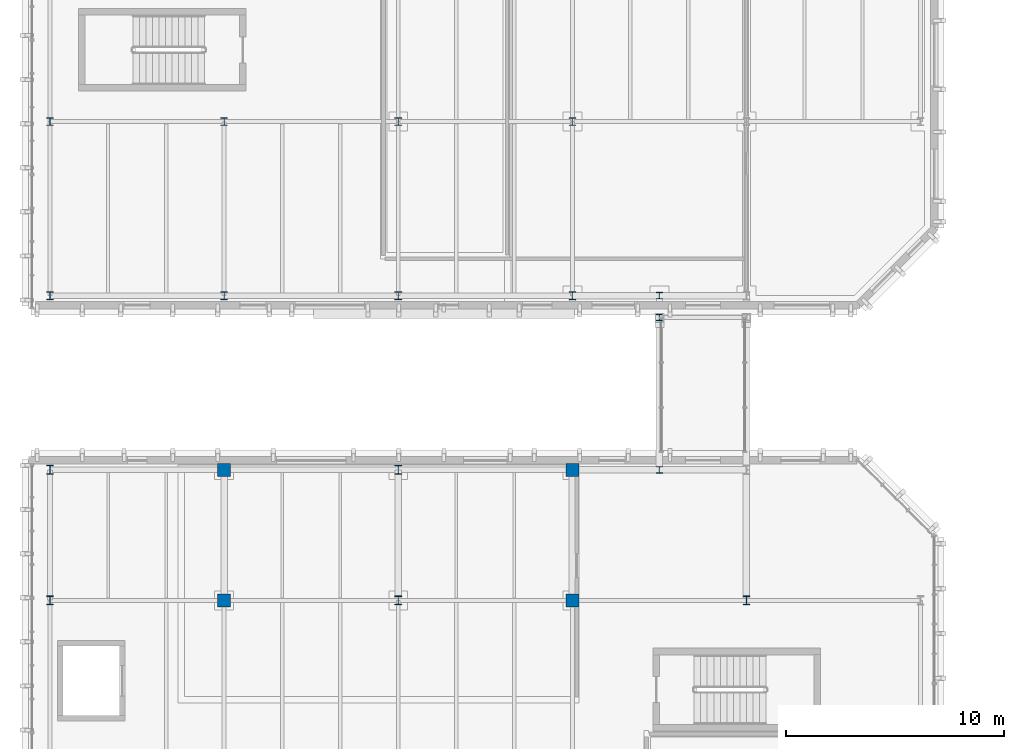
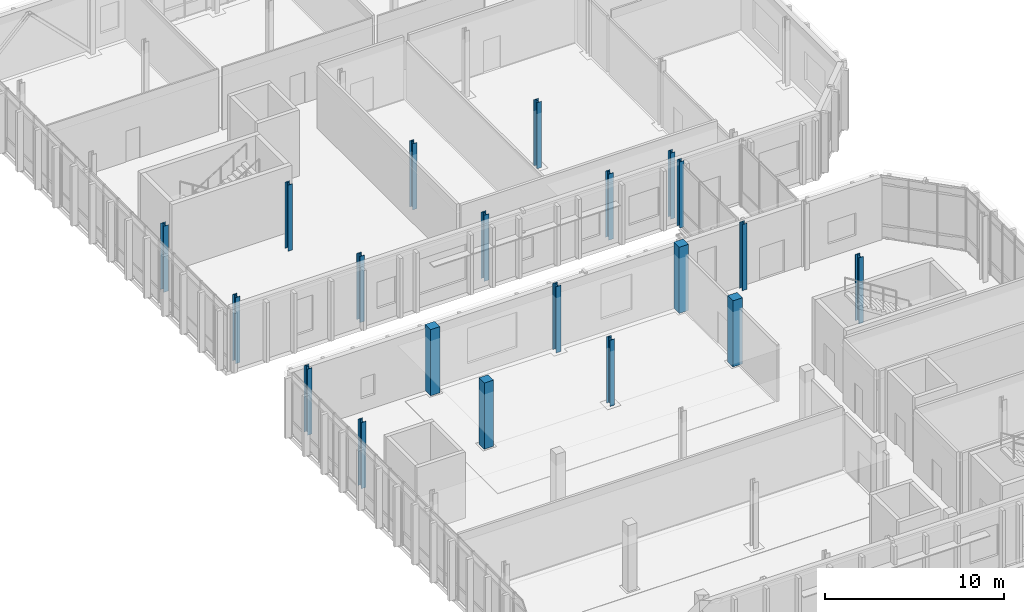
# One storey, part 10 of 100: 20 columns.
"""IFC4 building model written with IfcOpenShell, lengths in metres."""

from ifc_helpers import new_model, si_unit, direction, frame, origin, origin_2d, place, context, subcontext, project, spatial, rectangle, i_section, extrude, material, material_profile, profile_set, type_object, element, save


model = new_model("IFC4")

# Units and contexts
model_context = context("Model", 3, precision=1e-05, world=origin(), true_north=direction((0.0, 1.0)))
body_context = subcontext(model_context, "Body", "Model", "MODEL_VIEW")
ifc_project = project(units=[si_unit("LENGTHUNIT", "METRE"), si_unit("AREAUNIT", "SQUARE_METRE"), si_unit("VOLUMEUNIT", "CUBIC_METRE"), si_unit("PLANEANGLEUNIT", "RADIAN"), si_unit("MASSUNIT", "GRAM", prefix="KILO")], contexts=[model_context])

# Site, building, storey
site_placement = place(None, origin())
site = spatial("IfcSite", under=ifc_project, at=site_placement, CompositionType="ELEMENT")
building_placement = place(site_placement, origin())
building = spatial("IfcBuilding", under=site, at=building_placement, Name="Cymarion Research Institute", CompositionType="ELEMENT")
storey_placement = place(building_placement, frame((0.0, 0.0, 9.300048828125)))
storey = spatial("IfcBuildingStorey", under=building, at=storey_placement, Name="L02", CompositionType="ELEMENT", Elevation=9.300048828125)

# Columns
ifc_material_1 = material(Name="Steel S355", Category="steel")
ifc_material_profile_1 = material_profile(ifc_material_1, i_section(OverallWidth=0.300048828125, OverallDepth=0.39990234375, WebThickness=0.013427734375, FlangeThickness=0.02392578125, FilletRadius=0.027099609375, at=origin_2d()), Name="HEB 400")
ifc_profile_set_1 = profile_set([ifc_material_profile_1], Name="Steel S355")
column_type_1 = type_object("IfcColumnType", Name="STRUCTURAL COLUMN C06 HEB 400", PredefinedType="COLUMN", material=ifc_profile_set_1)
for number, where, z_axis, x_axis, name in (
    (1, (6.60009765625, 71.5, 0.0), (0.0, 0.0, 1.0), (1.0, 0.0, 0.0), "L02 V4 column C06 #666"),
    (2, (6.60009765625, 77.5, 0.0), (0.0, 0.0, 1.0), (1.0, 0.0, 0.0), "L02 V4 column C06 #667"),
    (3, (22.60009765625, 71.5, 0.0), (0.0, 0.0, 1.0), (1.0, 0.0, 0.0), "L02 V4 column C06 #697"),
    (4, (22.60009765625, 77.5, 0.0), (0.0, 0.0, 1.0), (1.0, 0.0, 0.0), "L02 V4 column C06 #698"),
    (5, (38.60009765625, 71.5, 0.0), (0.0, 0.0, 1.0), (1.0, 0.0, 0.0), "L02 V4 column C06 #734"),
):
    element("IfcColumn", number, at=place(storey_placement, frame(where, z_axis=z_axis, x_axis=x_axis)), inside=storey, type_object=column_type_1, Name=name, PredefinedType="COLUMN", context=body_context, shape_type="SweptSolid", body=[
        extrude(i_section(OverallWidth=0.300048828125, OverallDepth=0.39990234375, WebThickness=0.013427734375, FlangeThickness=0.02392578125, FilletRadius=0.027099609375, at=origin_2d()), origin(), (0.0, 0.0, 1.0), 4.5),
    ])
ifc_material_profile_2 = material_profile(ifc_material_1, i_section(OverallWidth=0.300048828125, OverallDepth=0.360107421875, WebThickness=0.012451171875, FlangeThickness=0.0224609375, FilletRadius=0.027099609375, at=origin_2d()), Name="HEB 360")
ifc_profile_set_2 = profile_set([ifc_material_profile_2], Name="Steel S355")
column_type_2 = type_object("IfcColumnType", Name="STRUCTURAL COLUMN C07 HEB 360", PredefinedType="COLUMN", material=ifc_profile_set_2)
for number, where, z_axis, x_axis, name in (
    (6, (6.60009765625, 85.5, 0.0), (0.0, 0.0, 1.0), (1.0, 0.0, 0.0), "L02 V5 column C07 #668"),
    (7, (14.60009765625, 85.5, 0.0), (0.0, 0.0, 1.0), (1.0, 0.0, 0.0), "L02 V5 column C07 #684"),
    (8, (22.60009765625, 85.5, 0.0), (0.0, 0.0, 1.0), (1.0, 0.0, 0.0), "L02 V5 column C07 #699"),
    (9, (30.60009765625, 85.5, 0.0), (0.0, 0.0, 1.0), (1.0, 0.0, 0.0), "L02 V5 column C07 #715"),
):
    element("IfcColumn", number, at=place(storey_placement, frame(where, z_axis=z_axis, x_axis=x_axis)), inside=storey, type_object=column_type_2, Name=name, PredefinedType="COLUMN", context=body_context, shape_type="SweptSolid", body=[
        extrude(i_section(OverallWidth=0.300048828125, OverallDepth=0.360107421875, WebThickness=0.012451171875, FlangeThickness=0.0224609375, FilletRadius=0.027099609375, at=origin_2d()), origin(), (0.0, 0.0, 1.0), 4.5),
    ])
ifc_material_profile_3 = material_profile(ifc_material_1, i_section(OverallWidth=0.300048828125, OverallDepth=0.300048828125, WebThickness=0.010986328125, FlangeThickness=0.01904296875, FilletRadius=0.027099609375, at=origin_2d()), Name="HEB 300")
ifc_profile_set_3 = profile_set([ifc_material_profile_3], Name="Steel S355")
column_type_3 = type_object("IfcColumnType", Name="STRUCTURAL COLUMN C08 HEB 300", PredefinedType="COLUMN", material=ifc_profile_set_3)
for number, where, z_axis, x_axis, name in (
    (10, (34.60009765625, 77.5, 0.0), (0.0, 0.0, 1.0), (1.0, 0.0, 0.0), "L02 V4 column C08 #721"),
    (11, (34.60009765625, 85.5, 0.0), (0.0, 0.0, 1.0), (1.0, 0.0, 0.0), "L02 V5 column C08 #723"),
):
    element("IfcColumn", number, at=place(storey_placement, frame(where, z_axis=z_axis, x_axis=x_axis)), inside=storey, type_object=column_type_3, Name=name, PredefinedType="COLUMN", context=body_context, shape_type="SweptSolid", body=[
        extrude(i_section(OverallWidth=0.300048828125, OverallDepth=0.300048828125, WebThickness=0.010986328125, FlangeThickness=0.01904296875, FilletRadius=0.027099609375, at=origin_2d()), origin(), (0.0, 0.0, 1.0), 4.5),
    ])
ifc_material_profile_4 = material_profile(ifc_material_1, i_section(OverallWidth=0.280029296875, OverallDepth=0.280029296875, WebThickness=0.010498046875, FlangeThickness=0.01806640625, FilletRadius=0.02392578125, at=origin_2d()), Name="HEB 280")
ifc_profile_set_4 = profile_set([ifc_material_profile_4], Name="Steel S355")
column_type_4 = type_object("IfcColumnType", Name="STRUCTURAL COLUMN C09 HEB 280", PredefinedType="COLUMN", material=ifc_profile_set_4)
column_placement = place(storey_placement, frame((34.60009765625, 84.5, 0.0), z_axis=(0.0, 0.0, 1.0), x_axis=(1.0, 0.0, 0.0)))
element("IfcColumn", 12, at=column_placement, inside=storey, type_object=column_type_4, Name="L02 V4 column C09 #722", PredefinedType="COLUMN", context=body_context, shape_type="SweptSolid", body=[
    extrude(i_section(OverallWidth=0.280029296875, OverallDepth=0.280029296875, WebThickness=0.010498046875, FlangeThickness=0.01806640625, FilletRadius=0.02392578125, at=origin_2d()), origin(), (0.0, 0.0, 1.0), 4.5),
])
ifc_material_profile_5 = material_profile(ifc_material_1, i_section(OverallWidth=0.300048828125, OverallDepth=0.35009765625, WebThickness=0.010009765625, FlangeThickness=0.017578125, FilletRadius=0.027099609375, at=origin_2d()), Name="HEA 360")
ifc_profile_set_5 = profile_set([ifc_material_profile_5], Name="Steel S355")
column_type_5 = type_object("IfcColumnType", Name="STRUCTURAL COLUMN C12 HEA 360", PredefinedType="COLUMN", material=ifc_profile_set_5)
for number, where, z_axis, x_axis, name in (
    (13, (6.60009765625, 93.5, 0.0), (0.0, 0.0, 1.0), (1.0, 0.0, 0.0), "L02 V5 column C12 #669"),
    (14, (14.60009765625, 93.5, 0.0), (0.0, 0.0, 1.0), (1.0, 0.0, 0.0), "L02 V5 column C12 #685"),
    (15, (22.60009765625, 93.5, 0.0), (0.0, 0.0, 1.0), (1.0, 0.0, 0.0), "L02 V5 column C12 #700"),
    (16, (30.60009765625, 93.5, 0.0), (0.0, 0.0, 1.0), (1.0, 0.0, 0.0), "L02 V5 column C12 #716"),
):
    element("IfcColumn", number, at=place(storey_placement, frame(where, z_axis=z_axis, x_axis=x_axis)), inside=storey, type_object=column_type_5, Name=name, PredefinedType="COLUMN", context=body_context, shape_type="SweptSolid", body=[
        extrude(i_section(OverallWidth=0.300048828125, OverallDepth=0.35009765625, WebThickness=0.010009765625, FlangeThickness=0.017578125, FilletRadius=0.027099609375, at=origin_2d()), origin(), (0.0, 0.0, 1.0), 4.5),
    ])
ifc_material_2 = material(Name="Concrete C40/50", Category="concrete")
ifc_material_profile_6 = material_profile(ifc_material_2, rectangle(XDim=0.60009765625, YDim=0.60009765625, at=origin_2d()), Name="RC 600x600")
ifc_profile_set_6 = profile_set([ifc_material_profile_6], Name="Concrete C40/50")
column_type_6 = type_object("IfcColumnType", Name="STRUCTURAL COLUMN C18 RC 600x600", PredefinedType="COLUMN", material=ifc_profile_set_6)
for number, where, z_axis, x_axis, name in (
    (17, (14.60009765625, 71.5, 0.0), (0.0, 0.0, 1.0), (1.0, 0.0, 0.0), "L02 V4 column C18 #682"),
    (18, (14.60009765625, 77.5, 0.0), (0.0, 0.0, 1.0), (1.0, 0.0, 0.0), "L02 V4 column C18 #683"),
    (19, (30.60009765625, 71.5, 0.0), (0.0, 0.0, 1.0), (1.0, 0.0, 0.0), "L02 V4 column C18 #713"),
    (20, (30.60009765625, 77.5, 0.0), (0.0, 0.0, 1.0), (1.0, 0.0, 0.0), "L02 V4 column C18 #714"),
):
    element("IfcColumn", number, at=place(storey_placement, frame(where, z_axis=z_axis, x_axis=x_axis)), inside=storey, type_object=column_type_6, Name=name, PredefinedType="COLUMN", context=body_context, shape_type="SweptSolid", body=[
        extrude(rectangle(XDim=0.60009765625, YDim=0.60009765625, at=origin_2d()), origin(), (0.0, 0.0, 1.0), 4.5),
    ])

save(model, "model.ifc")
